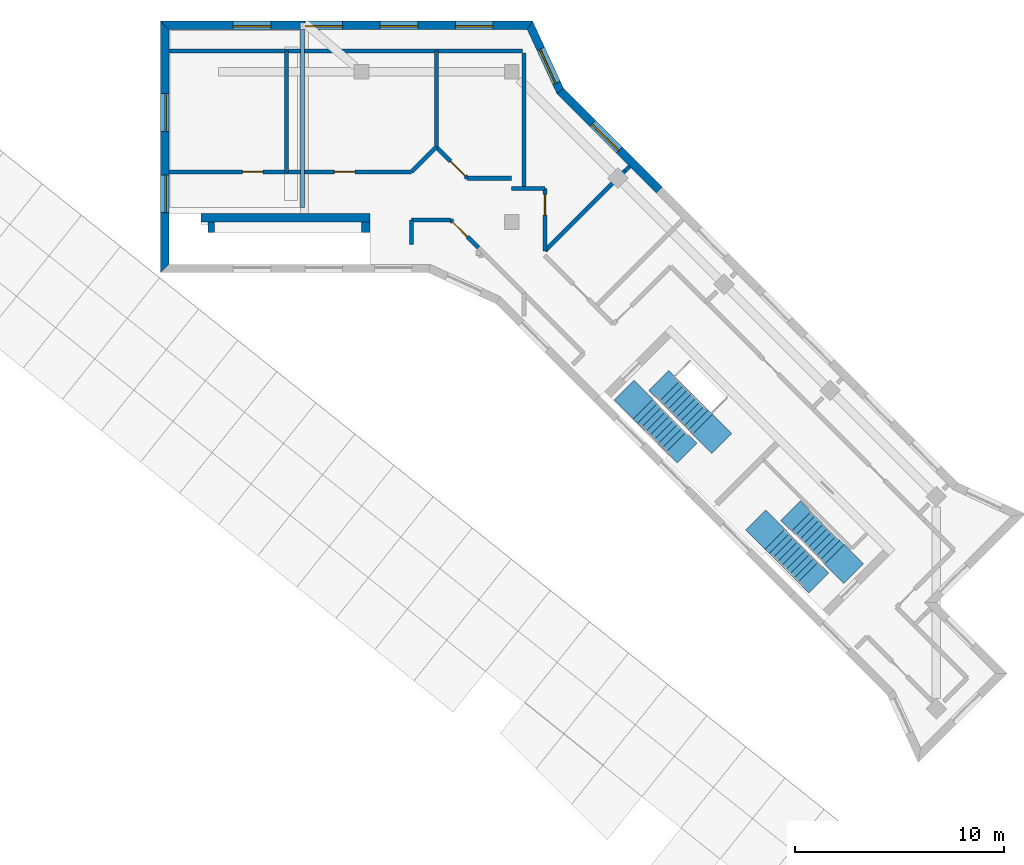
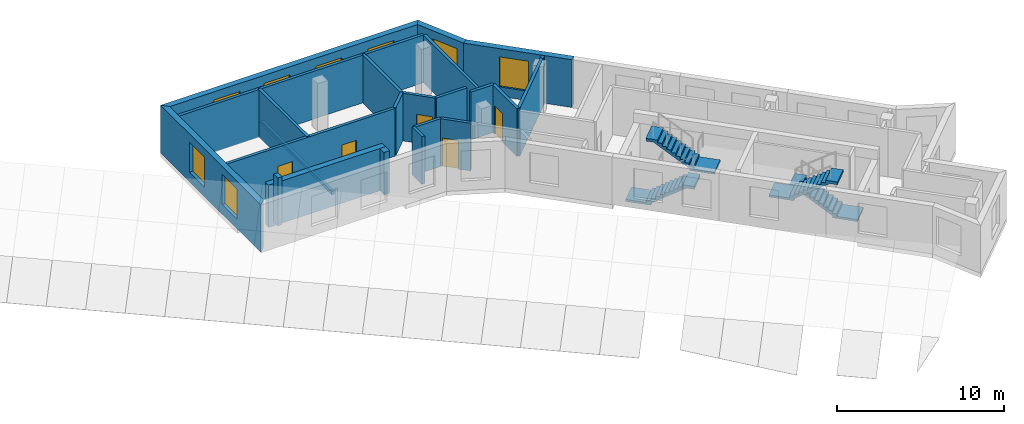
# One storey, part 4 of 6: 23 walls, 8 windows, 5 doors, 4 stair flights, 13 openings, 2 elements without a shape of their own.
"""IFC4 building model written with IfcOpenShell, lengths in metres."""

from ifc_helpers import new_model, si_unit, direction, frame, frame_2d, origin, place, context, subcontext, project, spatial, polyline, rectangle, outline, extrude, material, layer, layer_set, type_object, element, fill, aggregate, save


model = new_model("IFC4")

# Units and contexts
model_context = context("Model", 3, precision=1e-05, world=origin(), true_north=direction((0.0, 1.0)))
body_context = subcontext(model_context, "Body", "Model", "MODEL_VIEW")
ifc_project = project(units=[si_unit("LENGTHUNIT", "METRE"), si_unit("AREAUNIT", "SQUARE_METRE"), si_unit("VOLUMEUNIT", "CUBIC_METRE"), si_unit("PLANEANGLEUNIT", "RADIAN"), si_unit("MASSUNIT", "GRAM", prefix="KILO")], contexts=[model_context])

# Site, building, storey
site_placement = place(None, origin())
site = spatial("IfcSite", under=ifc_project, at=site_placement, CompositionType="ELEMENT")
building_placement = place(site_placement, origin())
building = spatial("IfcBuilding", under=site, at=building_placement, Name="Windrow Commons", CompositionType="ELEMENT")
storey_placement = place(building_placement, frame((0.0, 0.0, 305.8)))
storey = spatial("IfcBuildingStorey", under=building, at=storey_placement, Name="L83", CompositionType="ELEMENT", Elevation=305.8)

# Wall, openings, doors
ifc_material_1 = material(Name="Blockwork partition", Category="masonry")
ifc_layer_1 = layer(ifc_material_1, 0.2)
ifc_layer_set_1 = layer_set([ifc_layer_1], Name="IW-CORRIDOR-200")
wall_type_1 = type_object("IfcWallType", Name="IW-CORRIDOR-200", PredefinedType="PARTITIONING", material=ifc_layer_set_1)
wall_1_placement = place(storey_placement, frame((62.767, 67.2, 0.0), z_axis=(0.0, 0.0, 1.0), x_axis=(1.0, 0.0, 0.0)))
wall_1 = element("IfcWall", 1, at=wall_1_placement, inside=storey, type_object=wall_type_1, Name="W-L83-W002", PredefinedType="PARTITIONING", context=body_context, shape_type="SweptSolid", body=[
    extrude(rectangle(XDim=11.633, YDim=0.2, at=frame_2d((5.8165, 0.0))), origin(), (0.0, 0.0, 1.0), 3.5),
])
opening_1_placement = place(wall_1_placement, frame((3.5189, 0.0, 0.0)))
opening_1 = element("IfcOpeningElement", 2, at=opening_1_placement, cuts=wall_1, Name="Opening D410F", PredefinedType="OPENING", context=body_context, shape_type="SweptSolid", body=[
    extrude(rectangle(XDim=1.0, YDim=2.1, at=frame_2d((0.5, 1.05))), frame((0.0, 0.11, 0.0), z_axis=(0.0, -1.0, 0.0), x_axis=(1.0, 0.0, 0.0)), (0.0, 0.0, 1.0), 0.22),
])
opening_2_placement = place(wall_1_placement, frame((7.9312, 0.0, 0.0)))
opening_2 = element("IfcOpeningElement", 3, at=opening_2_placement, cuts=wall_1, Name="Opening D410F", PredefinedType="OPENING", context=body_context, shape_type="SweptSolid", body=[
    extrude(rectangle(XDim=1.0, YDim=2.1, at=frame_2d((0.5, 1.05))), frame((0.0, 0.11, 0.0), z_axis=(0.0, -1.0, 0.0), x_axis=(1.0, 0.0, 0.0)), (0.0, 0.0, 1.0), 0.22),
])
ifc_material_2 = material(Name="Timber door leaf", Category="wood")
door_type = type_object("IfcDoorType", Name="DT-SERVICE-1000", OperationType="SINGLE_SWING_LEFT", PredefinedType="DOOR", material=ifc_material_2)
door_1_placement = place(opening_1_placement, origin())
door_1 = element("IfcDoor", 4, at=door_1_placement, inside=storey, type_object=door_type, Name="D-L83-D001", OperationType="SINGLE_SWING_RIGHT", OverallHeight=2.1, OverallWidth=1.0, PredefinedType="DOOR", context=body_context, shape_type="SweptSolid", body=[
    extrude(rectangle(XDim=1.0, YDim=2.1, at=frame_2d((0.5, 1.05))), frame((0.0, 0.025, 0.0), z_axis=(0.0, -1.0, 0.0), x_axis=(1.0, 0.0, 0.0)), (0.0, 0.0, 1.0), 0.05),
])
fill(opening_1, door_1)
door_2_placement = place(opening_2_placement, origin())
door_2 = element("IfcDoor", 5, at=door_2_placement, inside=storey, type_object=door_type, Name="D-L83-D002", OperationType="SINGLE_SWING_LEFT", OverallHeight=2.1, OverallWidth=1.0, PredefinedType="DOOR", context=body_context, shape_type="SweptSolid", body=[
    extrude(rectangle(XDim=1.0, YDim=2.1, at=frame_2d((0.5, 1.05))), frame((0.0, 0.025, 0.0), z_axis=(0.0, -1.0, 0.0), x_axis=(1.0, 0.0, 0.0)), (0.0, 0.0, 1.0), 0.05),
])
fill(opening_2, door_2)

# Wall, opening, door
wall_2_placement = place(storey_placement, frame((80.8, 63.418, 0.0), z_axis=(0.0, 0.0, 1.0), x_axis=(0.0, 1.0, 0.0)))
wall_2 = element("IfcWall", 6, at=wall_2_placement, inside=storey, type_object=wall_type_1, Name="W-L83-W015", PredefinedType="PARTITIONING", context=body_context, shape_type="SweptSolid", body=[
    extrude(rectangle(XDim=2.98, YDim=0.2, at=frame_2d((1.49, 0.0))), origin(), (0.0, 0.0, 1.0), 3.5),
])
opening_3_placement = place(wall_2_placement, frame((1.7075, 0.0, 0.0)))
opening_3 = element("IfcOpeningElement", 7, at=opening_3_placement, cuts=wall_2, Name="Opening D410F", PredefinedType="OPENING", context=body_context, shape_type="SweptSolid", body=[
    extrude(rectangle(XDim=1.0, YDim=2.1, at=frame_2d((0.5, 1.05))), frame((0.0, 0.11, 0.0), z_axis=(0.0, -1.0, 0.0), x_axis=(1.0, 0.0, 0.0)), (0.0, 0.0, 1.0), 0.22),
])
door_3_placement = place(opening_3_placement, origin())
door_3 = element("IfcDoor", 8, at=door_3_placement, inside=storey, type_object=door_type, Name="D-L83-D004", OperationType="SINGLE_SWING_RIGHT", OverallHeight=2.1, OverallWidth=1.0, PredefinedType="DOOR", context=body_context, shape_type="SweptSolid", body=[
    extrude(rectangle(XDim=1.0, YDim=2.1, at=frame_2d((0.5, 1.05))), frame((0.0, 0.025, 0.0), z_axis=(0.0, -1.0, 0.0), x_axis=(1.0, 0.0, 0.0)), (0.0, 0.0, 1.0), 0.05),
])
fill(opening_3, door_3)

# Wall
wall_3_placement = place(storey_placement, frame((77.088, 66.9, 0.0), z_axis=(0.0, 0.0, 1.0), x_axis=(1.0, 0.0, 0.0)))
element("IfcWall", 9, at=wall_3_placement, inside=storey, type_object=wall_type_1, Name="W-L83-W018", PredefinedType="PARTITIONING", context=body_context, shape_type="SweptSolid", body=[
    extrude(rectangle(XDim=2.112, YDim=0.2, at=frame_2d((1.056, 0.0))), origin(), (0.0, 0.0, 1.0), 3.5),
])

# Wall, opening, door
wall_4_placement = place(storey_placement, frame((75.5965, 68.3845, 0.0), z_axis=(0.0, 0.0, 1.0), x_axis=(0.7071067812, -0.7071067812, 0.0)))
wall_4 = element("IfcWall", 10, at=wall_4_placement, inside=storey, type_object=wall_type_1, Name="W-L83-W019", PredefinedType="PARTITIONING", context=body_context, shape_type="SweptSolid", body=[
    extrude(rectangle(XDim=2.1043, YDim=0.2, at=frame_2d((1.0521, 0.0))), origin(), (0.0, 0.0, 1.0), 3.5),
])
opening_4_placement = place(wall_4_placement, frame((0.946, 0.0, 0.0)))
opening_4 = element("IfcOpeningElement", 11, at=opening_4_placement, cuts=wall_4, Name="Opening D410F", PredefinedType="OPENING", context=body_context, shape_type="SweptSolid", body=[
    extrude(rectangle(XDim=1.0, YDim=2.1, at=frame_2d((0.5, 1.05))), frame((0.0, 0.11, 0.0), z_axis=(0.0, -1.0, 0.0), x_axis=(1.0, 0.0, 0.0)), (0.0, 0.0, 1.0), 0.22),
])
door_4_placement = place(opening_4_placement, origin())
door_4 = element("IfcDoor", 12, at=door_4_placement, inside=storey, type_object=door_type, Name="D-L83-D003", OperationType="SINGLE_SWING_LEFT", OverallHeight=2.1, OverallWidth=1.0, PredefinedType="DOOR", context=body_context, shape_type="SweptSolid", body=[
    extrude(rectangle(XDim=1.0, YDim=2.1, at=frame_2d((0.5, 1.05))), frame((0.0, 0.025, 0.0), z_axis=(0.0, -1.0, 0.0), x_axis=(1.0, 0.0, 0.0)), (0.0, 0.0, 1.0), 0.05),
])
fill(opening_4, door_4)

wall_5_placement = place(storey_placement, frame((76.2634, 64.9034, 0.0), z_axis=(0.0, 0.0, 1.0), x_axis=(0.7071067812, -0.7071067812, 0.0)))
wall_5 = element("IfcWall", 13, at=wall_5_placement, inside=storey, type_object=wall_type_1, Name="W-L83-W021", PredefinedType="PARTITIONING", context=body_context, shape_type="SweptSolid", body=[
    extrude(rectangle(XDim=1.895, YDim=0.2, at=frame_2d((0.9475, 0.0))), origin(), (0.0, 0.0, 1.0), 3.5),
])
opening_5_placement = place(wall_5_placement, frame((0.1454, 0.0, 0.0)))
opening_5 = element("IfcOpeningElement", 14, at=opening_5_placement, cuts=wall_5, Name="Opening D410F", PredefinedType="OPENING", context=body_context, shape_type="SweptSolid", body=[
    extrude(rectangle(XDim=1.0, YDim=2.1, at=frame_2d((0.5, 1.05))), frame((0.0, 0.11, 0.0), z_axis=(0.0, -1.0, 0.0), x_axis=(1.0, 0.0, 0.0)), (0.0, 0.0, 1.0), 0.22),
])
door_5_placement = place(opening_5_placement, origin())
door_5 = element("IfcDoor", 15, at=door_5_placement, inside=storey, type_object=door_type, Name="D-L83-D000", OperationType="SINGLE_SWING_RIGHT", OverallHeight=2.1, OverallWidth=1.0, PredefinedType="DOOR", context=body_context, shape_type="SweptSolid", body=[
    extrude(rectangle(XDim=1.0, YDim=2.1, at=frame_2d((0.5, 1.05))), frame((0.0, 0.025, 0.0), z_axis=(0.0, -1.0, 0.0), x_axis=(1.0, 0.0, 0.0)), (0.0, 0.0, 1.0), 0.05),
])
fill(opening_5, door_5)

# Walls
wall_6_placement = place(storey_placement, frame((74.402, 64.9, 0.0), z_axis=(0.0, 0.0, 1.0), x_axis=(1.0, 0.0, 0.0)))
element("IfcWall", 16, at=wall_6_placement, inside=storey, type_object=wall_type_1, Name="W-L83-W022", PredefinedType="PARTITIONING", context=body_context, shape_type="SweptSolid", body=[
    extrude(rectangle(XDim=1.856, YDim=0.2, at=frame_2d((0.928, 0.0))), origin(), (0.0, 0.0, 1.0), 3.5),
])
wall_7_placement = place(storey_placement, frame((74.3992, 67.2008, 0.0), z_axis=(0.0, 0.0, 1.0), x_axis=(0.7071067812, 0.7071067812, 0.0)))
element("IfcWall", 17, at=wall_7_placement, inside=storey, type_object=wall_type_1, Name="W-L83-W023", PredefinedType="PARTITIONING", context=body_context, shape_type="SweptSolid", body=[
    extrude(rectangle(XDim=1.6886, YDim=0.2, at=frame_2d((0.8443, 0.0))), origin(), (0.0, 0.0, 1.0), 3.5),
])
wall_8_placement = place(storey_placement, frame((79.202, 66.4, 0.0), z_axis=(0.0, 0.0, 1.0), x_axis=(1.0, 0.0, 0.0)))
element("IfcWall", 18, at=wall_8_placement, inside=storey, type_object=wall_type_1, Name="W-L83-W026", PredefinedType="PARTITIONING", context=body_context, shape_type="SweptSolid", body=[
    extrude(rectangle(XDim=1.596, YDim=0.2, at=frame_2d((0.798, 0.0))), origin(), (0.0, 0.0, 1.0), 3.5),
])
wall_9_placement = place(storey_placement, frame((74.4, 63.73, 0.0), z_axis=(0.0, 0.0, 1.0), x_axis=(0.0, 1.0, 0.0)))
element("IfcWall", 19, at=wall_9_placement, inside=storey, type_object=wall_type_1, Name="W-L83-W028", PredefinedType="PARTITIONING", context=body_context, shape_type="SweptSolid", body=[
    extrude(rectangle(XDim=1.17, YDim=0.2, at=frame_2d((0.585, 0.0))), origin(), (0.0, 0.0, 1.0), 3.5),
])
ifc_material_3 = material(Name="Blockwork partition", Category="masonry")
ifc_layer_2 = layer(ifc_material_3, 0.2)
ifc_layer_set_2 = layer_set([ifc_layer_2], Name="IW-PARTY-200")
wall_type_2 = type_object("IfcWallType", Name="IW-PARTY-200", PredefinedType="PARTITIONING", material=ifc_layer_set_2)
wall_10_placement = place(storey_placement, frame((62.767, 73.0, 0.0), z_axis=(0.0, 0.0, 1.0), x_axis=(1.0, 0.0, 0.0)))
element("IfcWall", 20, at=wall_10_placement, inside=storey, type_object=wall_type_2, Name="W-L83-W000", PredefinedType="PARTITIONING", context=body_context, shape_type="SweptSolid", body=[
    extrude(rectangle(XDim=16.947, YDim=0.2, at=frame_2d((8.4735, 0.0))), origin(), (0.0, 0.0, 1.0), 3.5),
])
wall_11_placement = place(storey_placement, frame((79.8, 66.4, 0.0), z_axis=(0.0, 0.0, 1.0), x_axis=(0.0, 1.0, 0.0)))
element("IfcWall", 21, at=wall_11_placement, inside=storey, type_object=wall_type_2, Name="W-L83-W003", PredefinedType="PARTITIONING", context=body_context, shape_type="SweptSolid", body=[
    extrude(rectangle(XDim=6.514, YDim=0.2, at=frame_2d((3.257, 0.0))), origin(), (0.0, 0.0, 1.0), 3.5),
])
wall_12_placement = place(storey_placement, frame((68.4, 67.2, 0.0), z_axis=(0.0, 0.0, 1.0), x_axis=(0.0, 1.0, 0.0)))
element("IfcWall", 22, at=wall_12_placement, inside=storey, type_object=wall_type_2, Name="W-L83-W005", PredefinedType="PARTITIONING", context=body_context, shape_type="SweptSolid", body=[
    extrude(rectangle(XDim=5.8, YDim=0.2, at=frame_2d((2.9, 0.0))), origin(), (0.0, 0.0, 1.0), 3.5),
])
wall_13_placement = place(storey_placement, frame((75.6, 68.388, 0.0), z_axis=(0.0, 0.0, 1.0), x_axis=(0.0, 1.0, 0.0)))
element("IfcWall", 23, at=wall_13_placement, inside=storey, type_object=wall_type_2, Name="W-L83-W008", PredefinedType="PARTITIONING", context=body_context, shape_type="SweptSolid", body=[
    extrude(rectangle(XDim=4.612, YDim=0.2, at=frame_2d((2.306, 0.0))), origin(), (0.0, 0.0, 1.0), 3.5),
])
wall_14_placement = place(storey_placement, frame((80.8011, 63.4169, 0.0), z_axis=(0.0, 0.0, 1.0), x_axis=(0.70732766, 0.7068858333, 0.0)))
element("IfcWall", 24, at=wall_14_placement, inside=storey, type_object=wall_type_2, Name="W-L83-W009", PredefinedType="PARTITIONING", context=body_context, shape_type="SweptSolid", body=[
    extrude(rectangle(XDim=5.432, YDim=0.2, at=frame_2d((2.716, 0.0))), origin(), (0.0, 0.0, 1.0), 3.5),
])
wall_15_placement = place(storey_placement, frame((84.6447, 67.2553, 0.0), z_axis=(0.0, 0.0, 1.0), x_axis=(0.7053018997, 0.7089070674, 0.0)))
element("IfcWall", 25, at=wall_15_placement, inside=storey, type_object=wall_type_2, Name="W-L83-W037", PredefinedType="PARTITIONING", context=body_context, shape_type="SweptSolid", body=[
    extrude(outline(polyline([(0.0, -0.1), (0.305, -0.1), (0.305, 0.1), (0.0, 0.1), (0.0, -0.1)])), origin(), (0.0, 0.0, 1.0), 3.5),
])
ifc_material_4 = material(Name="Concrete C40/50", Category="concrete")
ifc_layer_3 = layer(ifc_material_4, 0.4)
ifc_layer_set_3 = layer_set([ifc_layer_3], Name="RC CORE WALL 400 C40/50")
wall_type_3 = type_object("IfcWallType", Name="RC CORE WALL 400 C40/50", PredefinedType="SHEAR", material=ifc_layer_set_3)
wall_16_placement = place(storey_placement, frame((64.3, 65.0, -0.3), z_axis=(0.0, 0.0, 1.0), x_axis=(1.0, 0.0, 0.0)))
element("IfcWall", 26, at=wall_16_placement, inside=storey, type_object=wall_type_3, Name="Core A wall outer-N", PredefinedType="SHEAR", context=body_context, shape_type="SweptSolid", body=[
    extrude(outline(polyline([(0.0, 0.0), (8.1, 0.0), (8.1, 3.1), (0.0, 3.1), (0.0, 0.0)])), frame((0.0, 0.2, 0.0), z_axis=(0.0, -1.0, 0.0), x_axis=(1.0, 0.0, 0.0)), (0.0, 0.0, 1.0), 0.4),
])
wall_17_placement = place(storey_placement, frame((72.2, 64.3, -0.3), z_axis=(0.0, 0.0, 1.0), x_axis=(0.0, 1.0, 0.0)))
element("IfcWall", 27, at=wall_17_placement, inside=storey, type_object=wall_type_3, Name="Core A wall outer-E", PredefinedType="SHEAR", context=body_context, shape_type="SweptSolid", body=[
    extrude(outline(polyline([(0.0, 0.0), (0.5, 0.0), (0.5, 3.1), (0.0, 3.1), (0.0, 0.0)])), frame((0.0, 0.2, 0.0), z_axis=(0.0, -1.0, 0.0), x_axis=(1.0, 0.0, 0.0)), (0.0, 0.0, 1.0), 0.4),
])
ifc_material_5 = material(Name="Concrete C40/50", Category="concrete")
ifc_layer_4 = layer(ifc_material_5, 0.3)
ifc_layer_set_4 = layer_set([ifc_layer_4], Name="RC SHAFT WALL 300 C40/50")
wall_type_4 = type_object("IfcWallType", Name="RC SHAFT WALL 300 C40/50", PredefinedType="SOLIDWALL", material=ifc_layer_set_4)
wall_18_placement = place(storey_placement, frame((64.8, 64.3, 0.0), z_axis=(0.0, 0.0, 1.0), x_axis=(0.0, 1.0, 0.0)))
element("IfcWall", 28, at=wall_18_placement, inside=storey, type_object=wall_type_4, Name="Core A wall stair-mid", PredefinedType="SOLIDWALL", context=body_context, shape_type="SweptSolid", body=[
    extrude(outline(polyline([(0.0, 0.0), (0.5, 0.0), (0.5, 3.5), (0.0, 3.5), (0.0, 0.0)])), frame((0.0, 0.15, 0.0), z_axis=(0.0, -1.0, 0.0), x_axis=(1.0, 0.0, 0.0)), (0.0, 0.0, 1.0), 0.3),
])
ifc_material_6 = material(Name="Brick masonry, red clay brick", Category="masonry")
ifc_layer_5 = layer(ifc_material_6, 0.2)
ifc_layer_set_5 = layer_set([ifc_layer_5], Name="Terrace edge parapet 200")
wall_type_5 = type_object("IfcWallType", Name="Terrace edge parapet 200", PredefinedType="PARAPET", material=ifc_layer_set_5)
wall_19_placement = place(storey_placement, frame((69.167, 65.5, 0.0), z_axis=(0.0, 0.0, 1.0), x_axis=(0.0, 1.0, 0.0)))
element("IfcWall", 29, at=wall_19_placement, inside=storey, type_object=wall_type_5, Name="Terrace parapet TR-L83-1.1.1", PredefinedType="PARAPET", context=body_context, shape_type="SweptSolid", body=[
    extrude(outline(polyline([(0.0, -0.1), (8.533, -0.1), (8.533, 0.1), (0.0, 0.1), (0.0, -0.1)])), origin(), (0.0, 0.0, 1.0), 0.25),
])

# Wall, opening, window
ifc_material_7 = material(Name="Standing seam zinc cladding on insulated masonry backing", Category="masonry")
ifc_layer_6 = layer(ifc_material_7, 0.4)
ifc_layer_set_6 = layer_set([ifc_layer_6], Name="Zinc clad crown wall 400")
wall_type_6 = type_object("IfcWallType", Name="Zinc clad crown wall 400", PredefinedType="SOLIDWALL", material=ifc_layer_set_6)
wall_20_placement = place(storey_placement, frame((86.2799, 66.3343, 0.0), z_axis=(0.0, 0.0, 1.0), x_axis=(-0.7071067812, 0.7071067812, 0.0)))
wall_20 = element("IfcWall", 30, at=wall_20_placement, inside=storey, type_object=wall_type_6, Name="Brick facade wall L83 7", PredefinedType="SOLIDWALL", context=body_context, shape_type="SweptSolid", body=[
    extrude(outline(polyline([(0.0, -0.2), (6.6821, -0.2), (6.7534, 0.2), (0.0, 0.2), (0.0, -0.2)])), origin(), (0.0, 0.0, 1.0), 3.5),
])
opening_6_placement = place(wall_20_placement, frame((2.7125, 0.0, 0.7)))
opening_6 = element("IfcOpeningElement", 31, at=opening_6_placement, cuts=wall_20, Name="Opening W6", PredefinedType="OPENING", context=body_context, shape_type="SweptSolid", body=[
    extrude(rectangle(XDim=1.8, YDim=2.2, at=frame_2d((0.9, 1.1))), frame((0.0, 0.21, 0.0), z_axis=(0.0, -1.0, 0.0), x_axis=(1.0, 0.0, 0.0)), (0.0, 0.0, 1.0), 0.42),
])
ifc_material_8 = material(Name="Clear float glass in anodised aluminium frame", Category="aluminium")
window_type = type_object("IfcWindowType", Name="Window W6 crown 1800x2200", PartitioningType="SINGLE_PANEL", PredefinedType="WINDOW", material=ifc_material_8)
window_1_placement = place(opening_6_placement, origin())
window_1 = element("IfcWindow", 32, at=window_1_placement, inside=storey, type_object=window_type, Name="Window L83 7.1", OverallHeight=2.2, OverallWidth=1.8, PartitioningType="SINGLE_PANEL", PredefinedType="WINDOW", context=body_context, shape_type="SweptSolid", body=[
    extrude(rectangle(XDim=1.8, YDim=2.2, at=frame_2d((0.9, 1.1))), frame((0.0, 0.08, 0.0), z_axis=(0.0, -1.0, 0.0), x_axis=(1.0, 0.0, 0.0)), (0.0, 0.0, 1.0), 0.06),
])
fill(opening_6, window_1)

wall_21_placement = place(storey_placement, frame((81.5297, 71.0845, 0.0), z_axis=(0.0, 0.0, 1.0), x_axis=(-0.4192593081, 0.9078665279, 0.0)))
wall_21 = element("IfcWall", 33, at=wall_21_placement, inside=storey, type_object=wall_type_6, Name="Brick facade wall L83 8", PredefinedType="SOLIDWALL", context=body_context, shape_type="SweptSolid", body=[
    extrude(outline(polyline([(0.0356, -0.2), (3.5959, -0.2), (3.3401, 0.2), (-0.0356, 0.2), (0.0356, -0.2)])), origin(), (0.0, 0.0, 1.0), 3.5),
])
opening_7_placement = place(wall_21_placement, frame((0.4226, 0.0, 0.7)))
opening_7 = element("IfcOpeningElement", 34, at=opening_7_placement, cuts=wall_21, Name="Opening W6", PredefinedType="OPENING", context=body_context, shape_type="SweptSolid", body=[
    extrude(rectangle(XDim=1.8, YDim=2.2, at=frame_2d((0.9, 1.1))), frame((0.0, 0.21, 0.0), z_axis=(0.0, -1.0, 0.0), x_axis=(1.0, 0.0, 0.0)), (0.0, 0.0, 1.0), 0.42),
])
window_2_placement = place(opening_7_placement, origin())
window_2 = element("IfcWindow", 35, at=window_2_placement, inside=storey, type_object=window_type, Name="Window L83 8.1", OverallHeight=2.2, OverallWidth=1.8, PartitioningType="SINGLE_PANEL", PredefinedType="WINDOW", context=body_context, shape_type="SweptSolid", body=[
    extrude(rectangle(XDim=1.8, YDim=2.2, at=frame_2d((0.9, 1.1))), frame((0.0, 0.08, 0.0), z_axis=(0.0, -1.0, 0.0), x_axis=(1.0, 0.0, 0.0)), (0.0, 0.0, 1.0), 0.06),
])
fill(opening_7, window_2)

# Wall, openings, windows
wall_22_placement = place(storey_placement, frame((80.0757, 74.233, 0.0), z_axis=(0.0, 0.0, 1.0), x_axis=(-1.0, 0.0, 0.0)))
wall_22 = element("IfcWall", 36, at=wall_22_placement, inside=storey, type_object=wall_type_6, Name="Brick facade wall L83 9", PredefinedType="SOLIDWALL", context=body_context, shape_type="SweptSolid", body=[
    extrude(outline(polyline([(-0.1279, -0.2), (17.7087, -0.2), (17.3087, 0.2), (0.1279, 0.2), (-0.1279, -0.2)])), origin(), (0.0, 0.0, 1.0), 3.5),
])
opening_8_placement = place(wall_22_placement, frame((1.7757, 0.0, 0.7)))
opening_8 = element("IfcOpeningElement", 37, at=opening_8_placement, cuts=wall_22, Name="Opening W6", PredefinedType="OPENING", context=body_context, shape_type="SweptSolid", body=[
    extrude(rectangle(XDim=1.8, YDim=2.2, at=frame_2d((0.9, 1.1))), frame((0.0, 0.21, 0.0), z_axis=(0.0, -1.0, 0.0), x_axis=(1.0, 0.0, 0.0)), (0.0, 0.0, 1.0), 0.42),
])
opening_9_placement = place(wall_22_placement, frame((5.3757, 0.0, 0.7)))
opening_9 = element("IfcOpeningElement", 38, at=opening_9_placement, cuts=wall_22, Name="Opening W6", PredefinedType="OPENING", context=body_context, shape_type="SweptSolid", body=[
    extrude(rectangle(XDim=1.8, YDim=2.2, at=frame_2d((0.9, 1.1))), frame((0.0, 0.21, 0.0), z_axis=(0.0, -1.0, 0.0), x_axis=(1.0, 0.0, 0.0)), (0.0, 0.0, 1.0), 0.42),
])
opening_10_placement = place(wall_22_placement, frame((8.9757, 0.0, 0.7)))
opening_10 = element("IfcOpeningElement", 39, at=opening_10_placement, cuts=wall_22, Name="Opening W6", PredefinedType="OPENING", context=body_context, shape_type="SweptSolid", body=[
    extrude(rectangle(XDim=1.8, YDim=2.2, at=frame_2d((0.9, 1.1))), frame((0.0, 0.21, 0.0), z_axis=(0.0, -1.0, 0.0), x_axis=(1.0, 0.0, 0.0)), (0.0, 0.0, 1.0), 0.42),
])
opening_11_placement = place(wall_22_placement, frame((12.4257, 0.0, 0.7)))
opening_11 = element("IfcOpeningElement", 40, at=opening_11_placement, cuts=wall_22, Name="Opening W6", PredefinedType="OPENING", context=body_context, shape_type="SweptSolid", body=[
    extrude(rectangle(XDim=1.8, YDim=2.2, at=frame_2d((0.9, 1.1))), frame((0.0, 0.21, 0.0), z_axis=(0.0, -1.0, 0.0), x_axis=(1.0, 0.0, 0.0)), (0.0, 0.0, 1.0), 0.42),
])
window_3_placement = place(opening_8_placement, origin())
window_3 = element("IfcWindow", 41, at=window_3_placement, inside=storey, type_object=window_type, Name="Window L83 9.1", OverallHeight=2.2, OverallWidth=1.8, PartitioningType="SINGLE_PANEL", PredefinedType="WINDOW", context=body_context, shape_type="SweptSolid", body=[
    extrude(rectangle(XDim=1.8, YDim=2.2, at=frame_2d((0.9, 1.1))), frame((0.0, 0.08, 0.0), z_axis=(0.0, -1.0, 0.0), x_axis=(1.0, 0.0, 0.0)), (0.0, 0.0, 1.0), 0.06),
])
fill(opening_8, window_3)
window_4_placement = place(opening_9_placement, origin())
window_4 = element("IfcWindow", 42, at=window_4_placement, inside=storey, type_object=window_type, Name="Window L83 9.2", OverallHeight=2.2, OverallWidth=1.8, PartitioningType="SINGLE_PANEL", PredefinedType="WINDOW", context=body_context, shape_type="SweptSolid", body=[
    extrude(rectangle(XDim=1.8, YDim=2.2, at=frame_2d((0.9, 1.1))), frame((0.0, 0.08, 0.0), z_axis=(0.0, -1.0, 0.0), x_axis=(1.0, 0.0, 0.0)), (0.0, 0.0, 1.0), 0.06),
])
fill(opening_9, window_4)
window_5_placement = place(opening_10_placement, origin())
window_5 = element("IfcWindow", 43, at=window_5_placement, inside=storey, type_object=window_type, Name="Window L83 9.3", OverallHeight=2.2, OverallWidth=1.8, PartitioningType="SINGLE_PANEL", PredefinedType="WINDOW", context=body_context, shape_type="SweptSolid", body=[
    extrude(rectangle(XDim=1.8, YDim=2.2, at=frame_2d((0.9, 1.1))), frame((0.0, 0.08, 0.0), z_axis=(0.0, -1.0, 0.0), x_axis=(1.0, 0.0, 0.0)), (0.0, 0.0, 1.0), 0.06),
])
fill(opening_10, window_5)
window_6_placement = place(opening_11_placement, origin())
window_6 = element("IfcWindow", 44, at=window_6_placement, inside=storey, type_object=window_type, Name="Window L83 9.4", OverallHeight=2.2, OverallWidth=1.8, PartitioningType="SINGLE_PANEL", PredefinedType="WINDOW", context=body_context, shape_type="SweptSolid", body=[
    extrude(rectangle(XDim=1.8, YDim=2.2, at=frame_2d((0.9, 1.1))), frame((0.0, 0.08, 0.0), z_axis=(0.0, -1.0, 0.0), x_axis=(1.0, 0.0, 0.0)), (0.0, 0.0, 1.0), 0.06),
])
fill(opening_11, window_6)

wall_23_placement = place(storey_placement, frame((62.567, 74.233, 0.0), z_axis=(0.0, 0.0, 1.0), x_axis=(0.0, -1.0, 0.0)))
wall_23 = element("IfcWall", 45, at=wall_23_placement, inside=storey, type_object=wall_type_6, Name="Brick facade wall L83 10", PredefinedType="SOLIDWALL", context=body_context, shape_type="SweptSolid", body=[
    extrude(outline(polyline([(-0.2, -0.2), (11.866, -0.2), (11.466, 0.2), (0.2, 0.2), (-0.2, -0.2)])), origin(), (0.0, 0.0, 1.0), 3.5),
])
opening_12_placement = place(wall_23_placement, frame((3.283, 0.0, 0.7)))
opening_12 = element("IfcOpeningElement", 46, at=opening_12_placement, cuts=wall_23, Name="Opening W6", PredefinedType="OPENING", context=body_context, shape_type="SweptSolid", body=[
    extrude(rectangle(XDim=1.8, YDim=2.2, at=frame_2d((0.9, 1.1))), frame((0.0, 0.21, 0.0), z_axis=(0.0, -1.0, 0.0), x_axis=(1.0, 0.0, 0.0)), (0.0, 0.0, 1.0), 0.42),
])
opening_13_placement = place(wall_23_placement, frame((7.183, 0.0, 0.7)))
opening_13 = element("IfcOpeningElement", 47, at=opening_13_placement, cuts=wall_23, Name="Opening W6", PredefinedType="OPENING", context=body_context, shape_type="SweptSolid", body=[
    extrude(rectangle(XDim=1.8, YDim=2.2, at=frame_2d((0.9, 1.1))), frame((0.0, 0.21, 0.0), z_axis=(0.0, -1.0, 0.0), x_axis=(1.0, 0.0, 0.0)), (0.0, 0.0, 1.0), 0.42),
])
window_7_placement = place(opening_12_placement, origin())
window_7 = element("IfcWindow", 48, at=window_7_placement, inside=storey, type_object=window_type, Name="Window L83 10.1", OverallHeight=2.2, OverallWidth=1.8, PartitioningType="SINGLE_PANEL", PredefinedType="WINDOW", context=body_context, shape_type="SweptSolid", body=[
    extrude(rectangle(XDim=1.8, YDim=2.2, at=frame_2d((0.9, 1.1))), frame((0.0, 0.08, 0.0), z_axis=(0.0, -1.0, 0.0), x_axis=(1.0, 0.0, 0.0)), (0.0, 0.0, 1.0), 0.06),
])
fill(opening_12, window_7)
window_8_placement = place(opening_13_placement, origin())
window_8 = element("IfcWindow", 49, at=window_8_placement, inside=storey, type_object=window_type, Name="Window L83 10.2", OverallHeight=2.2, OverallWidth=1.8, PartitioningType="SINGLE_PANEL", PredefinedType="WINDOW", context=body_context, shape_type="SweptSolid", body=[
    extrude(rectangle(XDim=1.8, YDim=2.2, at=frame_2d((0.9, 1.1))), frame((0.0, 0.08, 0.0), z_axis=(0.0, -1.0, 0.0), x_axis=(1.0, 0.0, 0.0)), (0.0, 0.0, 1.0), 0.06),
])
fill(opening_13, window_8)

# Stair, stair flights
ifc_material_9 = material(Name="Concrete C40/50", Category="concrete")
stair_type = type_object("IfcStairType", Name="Core stair", PredefinedType="HALF_TURN_STAIR", material=ifc_material_9)
placement = place(storey_placement, origin())
stair_1 = element("IfcStair", 50, at=placement, inside=storey, type_object=stair_type, Name="L83 Exit stair B1 core B", PredefinedType="HALF_TURN_STAIR")
ifc_material_10 = material(Name="Concrete C40/50", Category="concrete")
stair_flight_type = type_object("IfcStairFlightType", Name="Core stair flight", PredefinedType="STRAIGHT", material=ifc_material_10)
stair_flight_1_placement = place(storey_placement, frame((85.5109, 55.8249, 0.0), z_axis=(0.0, 0.0, 1.0), x_axis=(0.7071067812, -0.7071067812, 0.0)))
stair_flight_1 = element("IfcStairFlight", 51, at=stair_flight_1_placement, type_object=stair_flight_type, Name="ST-B1 flight 1", NumberOfRisers=10, NumberOfTreads=9, PredefinedType="STRAIGHT", RiserHeight=0.19, TreadLength=0.28, context=body_context, shape_type="SweptSolid", body=[
    extrude(outline(polyline([(-1.3, -0.15), (-1.3, 0.0), (0.0, 0.0), (0.0, 0.19), (0.28, 0.19), (0.28, 0.38), (0.56, 0.38), (0.56, 0.57), (0.84, 0.57), (0.84, 0.76), (1.12, 0.76), (1.12, 0.95), (1.4, 0.95), (1.4, 1.14), (1.68, 1.14), (1.68, 1.33), (1.96, 1.33), (1.96, 1.52), (2.24, 1.52), (2.24, 1.71), (2.52, 1.71), (2.97, 1.71), (2.97, 1.51), (2.52, 1.51), (2.52, 1.5287), (0.2671, 0.0), (0.2671, -0.15), (-1.3, -0.15)])), frame((0.0, 0.675, 0.0), z_axis=(0.0, -1.0, 0.0), x_axis=(1.0, 0.0, 0.0)), (0.0, 0.0, 1.0), 1.35),
])
stair_flight_2_placement = place(storey_placement, frame((88.3535, 55.1037, 1.9), z_axis=(0.0, 0.0, 1.0), x_axis=(-0.7071067812, 0.7071067812, 0.0)))
stair_flight_2 = element("IfcStairFlight", 52, at=stair_flight_2_placement, type_object=stair_flight_type, Name="ST-B1 flight 2", NumberOfRisers=10, NumberOfTreads=9, PredefinedType="STRAIGHT", RiserHeight=0.19, TreadLength=0.28, context=body_context, shape_type="SweptSolid", body=[
    extrude(outline(polyline([(-1.3, -0.15), (-1.3, 0.0), (0.0, 0.0), (0.0, 0.19), (0.28, 0.19), (0.28, 0.38), (0.56, 0.38), (0.56, 0.57), (0.84, 0.57), (0.84, 0.76), (1.12, 0.76), (1.12, 0.95), (1.4, 0.95), (1.4, 1.14), (1.68, 1.14), (1.68, 1.33), (1.96, 1.33), (1.96, 1.52), (2.24, 1.52), (2.24, 1.71), (2.52, 1.71), (2.97, 1.71), (2.97, 1.51), (2.52, 1.51), (2.52, 1.5287), (0.2671, 0.0), (0.2671, -0.15), (-1.3, -0.15)])), frame((0.0, 0.675, 0.0), z_axis=(0.0, -1.0, 0.0), x_axis=(1.0, 0.0, 0.0)), (0.0, 0.0, 1.0), 1.35),
])
aggregate(stair_1, [stair_flight_1, stair_flight_2])

stair_2 = element("IfcStair", 53, at=placement, inside=storey, type_object=stair_type, Name="L83 Exit stair B2 core B", PredefinedType="HALF_TURN_STAIR")
stair_flight_3_placement = place(storey_placement, frame((94.6715, 48.8635, 0.0), z_axis=(0.0, 0.0, 1.0), x_axis=(-0.7071067812, 0.7071067812, 0.0)))
stair_flight_3 = element("IfcStairFlight", 54, at=stair_flight_3_placement, type_object=stair_flight_type, Name="ST-B2 flight 1", NumberOfRisers=10, NumberOfTreads=9, PredefinedType="STRAIGHT", RiserHeight=0.19, TreadLength=0.28, context=body_context, shape_type="SweptSolid", body=[
    extrude(outline(polyline([(-1.3, -0.15), (-1.3, 0.0), (0.0, 0.0), (0.0, 0.19), (0.28, 0.19), (0.28, 0.38), (0.56, 0.38), (0.56, 0.57), (0.84, 0.57), (0.84, 0.76), (1.12, 0.76), (1.12, 0.95), (1.4, 0.95), (1.4, 1.14), (1.68, 1.14), (1.68, 1.33), (1.96, 1.33), (1.96, 1.52), (2.24, 1.52), (2.24, 1.71), (2.52, 1.71), (2.97, 1.71), (2.97, 1.51), (2.52, 1.51), (2.52, 1.5287), (0.2671, 0.0), (0.2671, -0.15), (-1.3, -0.15)])), frame((0.0, 0.675, 0.0), z_axis=(0.0, -1.0, 0.0), x_axis=(1.0, 0.0, 0.0)), (0.0, 0.0, 1.0), 1.35),
])
stair_flight_4_placement = place(storey_placement, frame((91.8289, 49.5847, 1.9), z_axis=(0.0, 0.0, 1.0), x_axis=(0.7071067812, -0.7071067812, 0.0)))
stair_flight_4 = element("IfcStairFlight", 55, at=stair_flight_4_placement, type_object=stair_flight_type, Name="ST-B2 flight 2", NumberOfRisers=10, NumberOfTreads=9, PredefinedType="STRAIGHT", RiserHeight=0.19, TreadLength=0.28, context=body_context, shape_type="SweptSolid", body=[
    extrude(outline(polyline([(-1.3, -0.15), (-1.3, 0.0), (0.0, 0.0), (0.0, 0.19), (0.28, 0.19), (0.28, 0.38), (0.56, 0.38), (0.56, 0.57), (0.84, 0.57), (0.84, 0.76), (1.12, 0.76), (1.12, 0.95), (1.4, 0.95), (1.4, 1.14), (1.68, 1.14), (1.68, 1.33), (1.96, 1.33), (1.96, 1.52), (2.24, 1.52), (2.24, 1.71), (2.52, 1.71), (2.97, 1.71), (2.97, 1.51), (2.52, 1.51), (2.52, 1.5287), (0.2671, 0.0), (0.2671, -0.15), (-1.3, -0.15)])), frame((0.0, 0.675, 0.0), z_axis=(0.0, -1.0, 0.0), x_axis=(1.0, 0.0, 0.0)), (0.0, 0.0, 1.0), 1.35),
])
aggregate(stair_2, [stair_flight_3, stair_flight_4])

save(model, "model.ifc")
